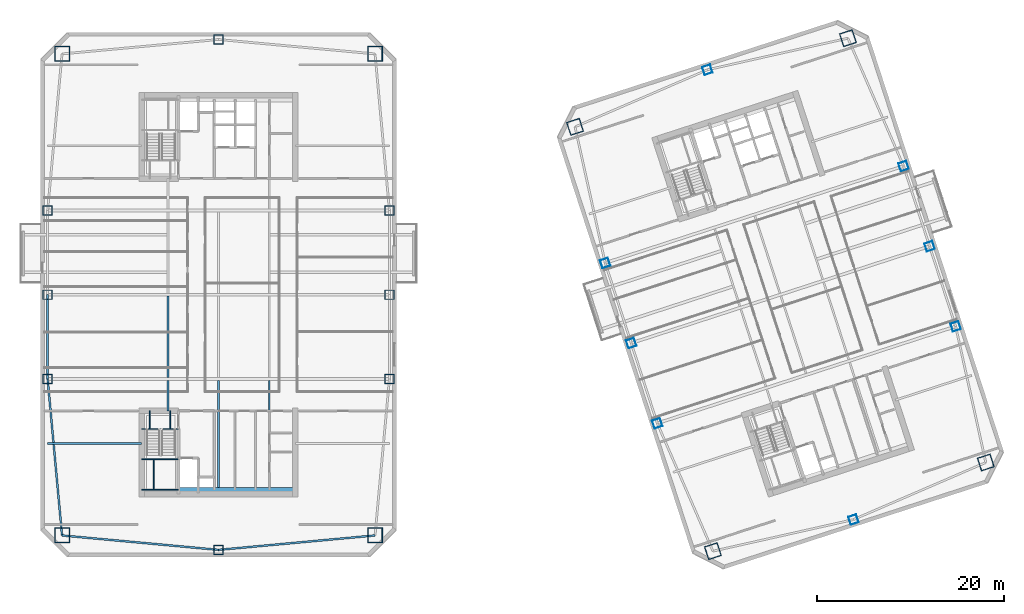
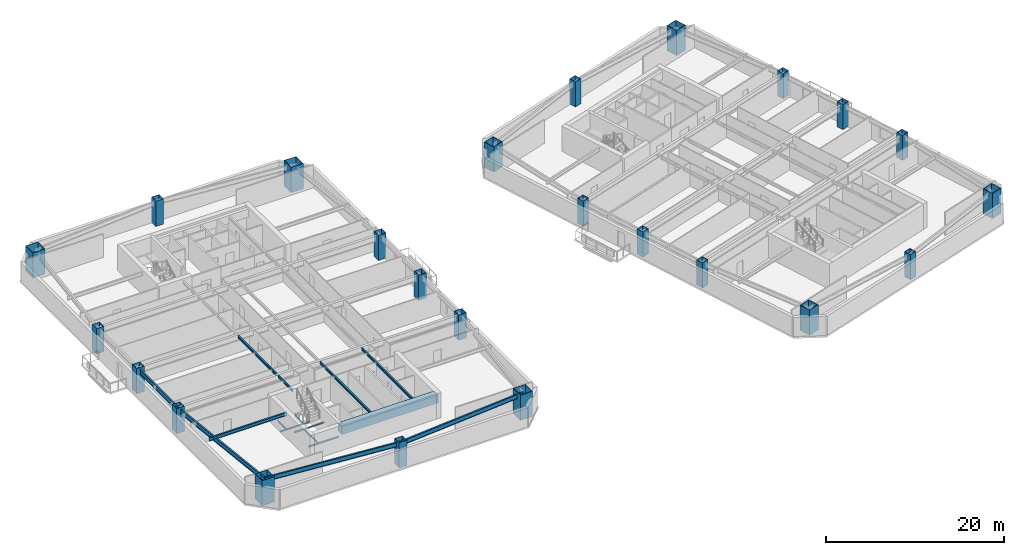
# One storey, part 1 of 15: 24 columns, 16 beams.
"""IFC4 building model written with IfcOpenShell, lengths in metres."""

from ifc_helpers import new_model, si_unit, direction, frame, origin, origin_2d, place, context, subcontext, project, spatial, rectangle, hollow_rectangle, i_section, extrude, material, material_profile, profile_set, type_object, element, save


model = new_model("IFC4")

# Units and contexts
model_context = context("Model", 3, precision=1e-05, world=origin(), true_north=direction((0.0, 1.0)))
body_context = subcontext(model_context, "Body", "Model", "MODEL_VIEW")
ifc_project = project(units=[si_unit("LENGTHUNIT", "METRE"), si_unit("AREAUNIT", "SQUARE_METRE"), si_unit("VOLUMEUNIT", "CUBIC_METRE"), si_unit("PLANEANGLEUNIT", "RADIAN"), si_unit("MASSUNIT", "GRAM", prefix="KILO")], contexts=[model_context])

# Site, building, storey
site_placement = place(None, origin())
site = spatial("IfcSite", under=ifc_project, at=site_placement, CompositionType="ELEMENT")
building_placement = place(site_placement, origin())
building = spatial("IfcBuilding", under=site, at=building_placement, Name="Qiaolan Cultural Towers", CompositionType="ELEMENT")
storey_placement = place(building_placement, frame((0.0, 0.0, 113.85009765625)))
storey = spatial("IfcBuildingStorey", under=building, at=storey_placement, Name="L29", CompositionType="ELEMENT", Elevation=113.85009765625)

# Columns
ifc_material_1 = material(Name="Steel Q355B", Category="steel")
ifc_material_profile_1 = material_profile(ifc_material_1, hollow_rectangle(XDim=1.0, YDim=1.0, WallThickness=0.035888671875, at=origin_2d()), Name="BOX1000x1000x36")
ifc_profile_set_1 = profile_set([ifc_material_profile_1], Name="Steel Q355B")
column_type_1 = type_object("IfcColumnType", Name="COL-BOX1000x1000x36", PredefinedType="COLUMN", material=ifc_profile_set_1)
for number, where, z_axis, x_axis, name in (
    (1, (11.75, 25.0, 0.0), (0.0, 0.0, 1.0), (1.0, 0.0, 0.0), "L29 T1 Perimeter Column PC-W1"),
    (2, (11.75, 34.0, 0.0), (0.0, 0.0, 1.0), (1.0, 0.0, 0.0), "L29 T1 Perimeter Column PC-W2"),
    (3, (11.75, 43.0, 0.0), (0.0, 0.0, 1.0), (1.0, 0.0, 0.0), "L29 T1 Perimeter Column PC-W3"),
    (4, (48.25, 25.0, 0.0), (0.0, 0.0, 1.0), (1.0, 0.0, 0.0), "L29 T1 Perimeter Column PC-E1"),
    (5, (48.25, 34.0, 0.0), (0.0, 0.0, 1.0), (1.0, 0.0, 0.0), "L29 T1 Perimeter Column PC-E2"),
    (6, (48.25, 43.0, 0.0), (0.0, 0.0, 1.0), (1.0, 0.0, 0.0), "L29 T1 Perimeter Column PC-E3"),
    (7, (30.0, 6.75, 0.0), (0.0, 0.0, 1.0), (1.0, 0.0, 0.0), "L29 T1 Perimeter Column PC-S0"),
    (8, (30.0, 61.25, 0.0), (0.0, 0.0, 1.0), (1.0, 0.0, 0.0), "L29 T1 Perimeter Column PC-N0"),
):
    element("IfcColumn", number, at=place(storey_placement, frame(where, z_axis=z_axis, x_axis=x_axis)), inside=storey, type_object=column_type_1, Name=name, PredefinedType="COLUMN", context=body_context, shape_type="SweptSolid", body=[
        extrude(hollow_rectangle(XDim=1.0, YDim=1.0, WallThickness=0.035888671875, at=origin_2d()), origin(), (0.0, 0.0, 1.0), 3.450927734375),
    ])
ifc_material_2 = material(Name="Steel Q420GJB", Category="steel")
ifc_material_profile_2 = material_profile(ifc_material_2, hollow_rectangle(XDim=1.449951171875, YDim=1.449951171875, WallThickness=0.050048828125, at=origin_2d()), Name="BOX1450x1450x50")
ifc_profile_set_2 = profile_set([ifc_material_profile_2], Name="Steel Q420GJB")
column_type_2 = type_object("IfcColumnType", Name="COL-BOX1450x1450x50", PredefinedType="COLUMN", material=ifc_profile_set_2)
for number, where, z_axis, x_axis, name in (
    (9, (82.79052734375, 6.611572265625, 0.0), (0.0, 0.0, 1.0), (0.951056516295, 0.309016994375, 0.0), "L29 T2 Perimeter Column MC-SW"),
    (10, (111.930908203125, 16.080078125, 0.0), (0.0, 0.0, 1.0), (0.951056516295, 0.309016994375, 0.0), "L29 T2 Perimeter Column MC-SE"),
    (11, (97.20947265625, 61.388427734375, 0.0), (0.0, 0.0, 1.0), (0.951056516295, 0.309016994375, 0.0), "L29 T2 Perimeter Column MC-NE"),
    (12, (68.069091796875, 51.919921875, 0.0), (0.0, 0.0, 1.0), (0.951056516295, 0.309016994375, 0.0), "L29 T2 Perimeter Column MC-NW"),
):
    element("IfcColumn", number, at=place(storey_placement, frame(where, z_axis=z_axis, x_axis=x_axis)), inside=storey, type_object=column_type_2, Name=name, PredefinedType="COLUMN", context=body_context, shape_type="SweptSolid", body=[
        extrude(hollow_rectangle(XDim=1.449951171875, YDim=1.449951171875, WallThickness=0.050048828125, at=origin_2d()), origin(), (0.0, 0.0, 1.0), 3.450927734375),
    ])
ifc_material_3 = material(Name="Steel Q420GJB", Category="steel")
ifc_material_profile_3 = material_profile(ifc_material_3, hollow_rectangle(XDim=1.60009765625, YDim=1.60009765625, WallThickness=0.054931640625, at=origin_2d()), Name="BOX1600x1600x55")
ifc_profile_set_3 = profile_set([ifc_material_profile_3], Name="Steel Q420GJB")
column_type_3 = type_object("IfcColumnType", Name="COL-BOX1600x1600x55", PredefinedType="COLUMN", material=ifc_profile_set_3)
for number, where, z_axis, x_axis, name in (
    (13, (13.2900390625, 8.2900390625, 0.0), (0.0, 0.0, 1.0), (1.0, 0.0, 0.0), "L29 T1 Perimeter Column MC-SW"),
    (14, (46.7099609375, 8.2900390625, 0.0), (0.0, 0.0, 1.0), (1.0, 0.0, 0.0), "L29 T1 Perimeter Column MC-SE"),
    (15, (46.7099609375, 59.7099609375, 0.0), (0.0, 0.0, 1.0), (1.0, 0.0, 0.0), "L29 T1 Perimeter Column MC-NE"),
    (16, (13.2900390625, 59.7099609375, 0.0), (0.0, 0.0, 1.0), (1.0, 0.0, 0.0), "L29 T1 Perimeter Column MC-NW"),
):
    element("IfcColumn", number, at=place(storey_placement, frame(where, z_axis=z_axis, x_axis=x_axis)), inside=storey, type_object=column_type_3, Name=name, PredefinedType="COLUMN", context=body_context, shape_type="SweptSolid", body=[
        extrude(hollow_rectangle(XDim=1.60009765625, YDim=1.60009765625, WallThickness=0.054931640625, at=origin_2d()), origin(), (0.0, 0.0, 1.0), 3.450927734375),
    ])
ifc_material_4 = material(Name="Steel Q355B", Category="steel")
ifc_material_profile_4 = material_profile(ifc_material_4, hollow_rectangle(XDim=0.89990234375, YDim=0.89990234375, WallThickness=0.031982421875, at=origin_2d()), Name="BOX900x900x32")
ifc_profile_set_4 = profile_set([ifc_material_profile_4], Name="Steel Q355B")
column_type_4 = type_object("IfcColumnType", Name="COL-BOX900x900x32", PredefinedType="COLUMN", material=ifc_profile_set_4)
for number, where, z_axis, x_axis, name in (
    (17, (76.85107421875, 20.264404296875, 0.0), (0.0, 0.0, 1.0), (0.951056516295, 0.309016994375, 0.0), "L29 T2 Perimeter Column PC-W1"),
    (18, (74.06982421875, 28.823974609375, 0.0), (0.0, 0.0, 1.0), (0.951056516295, 0.309016994375, 0.0), "L29 T2 Perimeter Column PC-W2"),
    (19, (71.28857421875, 37.383544921875, 0.0), (0.0, 0.0, 1.0), (0.951056516295, 0.309016994375, 0.0), "L29 T2 Perimeter Column PC-W3"),
    (20, (108.71142578125, 30.616455078125, 0.0), (0.0, 0.0, 1.0), (0.951056516295, 0.309016994375, 0.0), "L29 T2 Perimeter Column PC-E1"),
    (21, (105.93017578125, 39.176025390625, 0.0), (0.0, 0.0, 1.0), (0.951056516295, 0.309016994375, 0.0), "L29 T2 Perimeter Column PC-E2"),
    (22, (103.14892578125, 47.735595703125, 0.0), (0.0, 0.0, 1.0), (0.951056516295, 0.309016994375, 0.0), "L29 T2 Perimeter Column PC-E3"),
    (23, (97.802734375, 9.98583984375, 0.0), (0.0, 0.0, 1.0), (0.951056516295, 0.309016994375, 0.0), "L29 T2 Perimeter Column PC-S0"),
    (24, (82.197265625, 58.01416015625, 0.0), (0.0, 0.0, 1.0), (0.951056516295, 0.309016994375, 0.0), "L29 T2 Perimeter Column PC-N0"),
):
    element("IfcColumn", number, at=place(storey_placement, frame(where, z_axis=z_axis, x_axis=x_axis)), inside=storey, type_object=column_type_4, Name=name, PredefinedType="COLUMN", context=body_context, shape_type="SweptSolid", body=[
        extrude(hollow_rectangle(XDim=0.89990234375, YDim=0.89990234375, WallThickness=0.031982421875, at=origin_2d()), origin(), (0.0, 0.0, 1.0), 3.450927734375),
    ])

# Beams
ifc_material_5 = material(Name="Steel Q355B", Category="steel")
ifc_material_profile_5 = material_profile(ifc_material_5, i_section(OverallWidth=0.175048828125, OverallDepth=0.35009765625, WebThickness=0.007080078125, FlangeThickness=0.010986328125, at=origin_2d()), Name="HN350x175x7x11")
ifc_profile_set_5 = profile_set([ifc_material_profile_5], Name="Steel Q355B")
beam_type_1 = type_object("IfcBeamType", Name="BM-JST-HN350x175x7x11", PredefinedType="JOIST", material=ifc_profile_set_5)
beam_1_placement = place(storey_placement, frame((24.60009765625, 21.60009765625, 3.014892578125), z_axis=(0.0, 1.0, 0.0), x_axis=(-1.0, 0.0, 0.0)))
element("IfcBeam", 25, at=beam_1_placement, inside=storey, type_object=beam_type_1, Name="L29 T1 Secondary Floor Joist U1-1", PredefinedType="JOIST", context=body_context, shape_type="SweptSolid", body=[
    extrude(i_section(OverallWidth=0.175048828125, OverallDepth=0.35009765625, WebThickness=0.007080078125, FlangeThickness=0.010986328125, at=origin_2d()), origin(), (0.0, 0.0, 1.0), 3.25),
])
beam_2_placement = place(storey_placement, frame((24.60009765625, 25.14990234375, 3.014892578125), z_axis=(0.0, 1.0, 0.0), x_axis=(-1.0, 0.0, 0.0)))
element("IfcBeam", 26, at=beam_2_placement, inside=storey, type_object=beam_type_1, Name="L29 T1 Secondary Floor Joist U1-2", PredefinedType="JOIST", context=body_context, shape_type="SweptSolid", body=[
    extrude(i_section(OverallWidth=0.175048828125, OverallDepth=0.35009765625, WebThickness=0.007080078125, FlangeThickness=0.010986328125, at=origin_2d()), origin(), (0.0, 0.0, 1.0), 8.7001953125),
])
for number, where, z_axis, x_axis, name in (
    (27, (30.0, 13.39990234375, 3.014892578125), (0.0, 1.0, 0.0), (-1.0, 0.0, 0.0), "L29 T1 Secondary Floor Joist U2-1"),
    (28, (35.39990234375, 13.39990234375, 3.014892578125), (0.0, 1.0, 0.0), (-1.0, 0.0, 0.0), "L29 T1 Secondary Floor Joist U3-1"),
):
    element("IfcBeam", number, at=place(storey_placement, frame(where, z_axis=z_axis, x_axis=x_axis)), inside=storey, type_object=beam_type_1, Name=name, PredefinedType="JOIST", context=body_context, shape_type="SweptSolid", body=[
        extrude(i_section(OverallWidth=0.175048828125, OverallDepth=0.35009765625, WebThickness=0.007080078125, FlangeThickness=0.010986328125, at=origin_2d()), origin(), (0.0, 0.0, 1.0), 11.4501953125),
    ])
ifc_material_6 = material(Name="Steel Q355B", Category="steel")
ifc_material_profile_6 = material_profile(ifc_material_6, i_section(OverallWidth=0.199951171875, OverallDepth=0.449951171875, WebThickness=0.009033203125, FlangeThickness=0.013916015625, at=origin_2d()), Name="HN450x200x9x14")
ifc_profile_set_6 = profile_set([ifc_material_profile_6], Name="Steel Q355B")
beam_type_2 = type_object("IfcBeamType", Name="BM-LNT-HN450x200x9x14", PredefinedType="LINTEL", material=ifc_profile_set_6)
beam_3_placement = place(storey_placement, frame((21.800048828125, 18.10009765625, 2.96484375), z_axis=(-1.0, 0.0, 0.0), x_axis=(0.0, -1.0, 0.0)))
element("IfcBeam", 29, at=beam_3_placement, inside=storey, type_object=beam_type_2, Name="L29 T1 Core Flank Tie Lintel WS", PredefinedType="LINTEL", context=body_context, shape_type="SweptSolid", body=[
    extrude(i_section(OverallWidth=0.199951171875, OverallDepth=0.449951171875, WebThickness=0.009033203125, FlangeThickness=0.013916015625, at=origin_2d()), origin(), (0.0, 0.0, 1.0), 10.050048828125),
])
ifc_material_7 = material(Name="Concrete C50", Category="concrete")
ifc_material_profile_7 = material_profile(ifc_material_7, rectangle(XDim=0.89990234375, YDim=1.10009765625, at=origin_2d()), Name="RC900x1100")
ifc_profile_set_7 = profile_set([ifc_material_profile_7], Name="Concrete C50")
beam_type_3 = type_object("IfcBeamType", Name="BM-RC900x1100", PredefinedType="BEAM", material=ifc_profile_set_7)
beam_4_placement = place(storey_placement, frame((25.719970703125, 12.949951171875, 2.639892578125), z_axis=(1.0, 0.0, 0.0), x_axis=(0.0, 1.0, 0.0)))
element("IfcBeam", 30, at=beam_4_placement, inside=storey, type_object=beam_type_3, Name="L29 T1 Core Header Girder S", PredefinedType="BEAM", context=body_context, shape_type="SweptSolid", body=[
    extrude(rectangle(XDim=0.89990234375, YDim=1.10009765625, at=origin_2d()), origin(), (0.0, 0.0, 1.0), 12.47998046875),
])
ifc_material_8 = material(Name="Steel Q355B", Category="steel")
ifc_material_profile_8 = material_profile(ifc_material_8, i_section(OverallWidth=0.199951171875, OverallDepth=0.60009765625, WebThickness=0.010986328125, FlangeThickness=0.01708984375, at=origin_2d()), Name="HN600x200x11x17")
ifc_profile_set_8 = profile_set([ifc_material_profile_8], Name="Steel Q355B")
beam_type_4 = type_object("IfcBeamType", Name="BM-SPD-HN600x200x11x17", PredefinedType="SPANDREL", material=ifc_profile_set_8)
for number, where, z_axis, x_axis, name in (
    (31, (13.2900390625, 8.2900390625, 2.889892578125), (0.995779862064, -0.09177399582, 0.0), (0.09177399582, 0.995779862064, 0.0), "L29 T1 Perimeter Spandrel Beam 1"),
    (32, (30.0, 6.75, 2.889892578125), (0.995779862064, 0.09177399582, 0.0), (-0.09177399582, 0.995779862064, 0.0), "L29 T1 Perimeter Spandrel Beam 2"),
):
    element("IfcBeam", number, at=place(storey_placement, frame(where, z_axis=z_axis, x_axis=x_axis)), inside=storey, type_object=beam_type_4, Name=name, PredefinedType="SPANDREL", context=body_context, shape_type="SweptSolid", body=[
        extrude(i_section(OverallWidth=0.199951171875, OverallDepth=0.60009765625, WebThickness=0.010986328125, FlangeThickness=0.01708984375, at=origin_2d()), origin(), (0.0, 0.0, 1.0), 16.78076171875),
    ])
beam_5_placement = place(storey_placement, frame((11.75, 34.0, 2.889892578125), z_axis=(0.0, -1.0, 0.0), x_axis=(1.0, 0.0, 0.0)))
element("IfcBeam", 33, at=beam_5_placement, inside=storey, type_object=beam_type_4, Name="L29 T1 Perimeter Spandrel Beam 11", PredefinedType="SPANDREL", context=body_context, shape_type="SweptSolid", body=[
    extrude(i_section(OverallWidth=0.199951171875, OverallDepth=0.60009765625, WebThickness=0.010986328125, FlangeThickness=0.01708984375, at=origin_2d()), origin(), (0.0, 0.0, 1.0), 9.0),
])
beam_6_placement = place(storey_placement, frame((11.75, 25.0, 2.889892578125), z_axis=(0.09177399582, -0.995779862064, 0.0), x_axis=(0.995779862064, 0.09177399582, 0.0)))
element("IfcBeam", 34, at=beam_6_placement, inside=storey, type_object=beam_type_4, Name="L29 T1 Perimeter Spandrel Beam 12", PredefinedType="SPANDREL", context=body_context, shape_type="SweptSolid", body=[
    extrude(i_section(OverallWidth=0.199951171875, OverallDepth=0.60009765625, WebThickness=0.010986328125, FlangeThickness=0.01708984375, at=origin_2d()), origin(), (0.0, 0.0, 1.0), 16.78076171875),
])
ifc_material_9 = material(Name="Steel Q355B", Category="steel")
ifc_material_profile_9 = material_profile(ifc_material_9, i_section(OverallWidth=0.10009765625, OverallDepth=0.199951171875, WebThickness=0.005615234375, FlangeThickness=0.008056640625, at=origin_2d()), Name="HN200x100x5.5x8")
ifc_profile_set_9 = profile_set([ifc_material_profile_9], Name="Steel Q355B")
beam_type_5 = type_object("IfcBeamType", Name="BM-STTRIM-200", PredefinedType="BEAM", material=ifc_profile_set_9)
beam_7_placement = place(storey_placement, frame((21.800048828125, 19.659912109375, -0.460205078125), z_axis=(1.0, 0.0, 0.0), x_axis=(0.0, 1.0, 0.0)))
element("IfcBeam", 35, at=beam_7_placement, inside=storey, type_object=beam_type_5, Name="L29 ST-W1 Floor Landing Header Beam", PredefinedType="BEAM", context=body_context, shape_type="SweptSolid", body=[
    extrude(i_section(OverallWidth=0.10009765625, OverallDepth=0.199951171875, WebThickness=0.005615234375, FlangeThickness=0.008056640625, at=origin_2d()), origin(), (0.0, 0.0, 1.0), 3.919921875),
])
for number, where, z_axis, x_axis, name in (
    (36, (22.64990234375, 21.60009765625, -0.460205078125), (0.0, -1.0, 0.0), (1.0, 0.0, 0.0), "L29 ST-W1 Floor Landing Stringer 1"),
    (37, (24.85009765625, 21.60009765625, -0.460205078125), (0.0, -1.0, 0.0), (1.0, 0.0, 0.0), "L29 ST-W1 Floor Landing Stringer 2"),
):
    element("IfcBeam", number, at=place(storey_placement, frame(where, z_axis=z_axis, x_axis=x_axis)), inside=storey, type_object=beam_type_5, Name=name, PredefinedType="BEAM", context=body_context, shape_type="SweptSolid", body=[
        extrude(i_section(OverallWidth=0.10009765625, OverallDepth=0.199951171875, WebThickness=0.005615234375, FlangeThickness=0.008056640625, at=origin_2d()), origin(), (0.0, 0.0, 1.0), 1.940185546875),
    ])
for number, where, z_axis, x_axis, name in (
    (38, (21.800048828125, 16.411376953125, 1.4248046875), (1.0, 0.0, 0.0), (0.0, 1.0, 0.0), "L29 ST-W1 Stair Landing Support Beam 1-1"),
    (39, (21.800048828125, 13.179931640625, 1.4248046875), (1.0, 0.0, 0.0), (0.0, 1.0, 0.0), "L29 ST-W1 Stair Landing Support Beam 1-2"),
):
    element("IfcBeam", number, at=place(storey_placement, frame(where, z_axis=z_axis, x_axis=x_axis)), inside=storey, type_object=beam_type_5, Name=name, PredefinedType="BEAM", context=body_context, shape_type="SweptSolid", body=[
        extrude(i_section(OverallWidth=0.10009765625, OverallDepth=0.199951171875, WebThickness=0.005615234375, FlangeThickness=0.008056640625, at=origin_2d()), origin(), (0.0, 0.0, 1.0), 3.919921875),
    ])
beam_8_placement = place(storey_placement, frame((23.070068359375, 16.411376953125, 1.4248046875), z_axis=(0.0, -1.0, 0.0), x_axis=(1.0, 0.0, 0.0)))
element("IfcBeam", 40, at=beam_8_placement, inside=storey, type_object=beam_type_5, Name="L29 ST-W1 Stair Landing Trimmer 1", PredefinedType="BEAM", context=body_context, shape_type="SweptSolid", body=[
    extrude(i_section(OverallWidth=0.10009765625, OverallDepth=0.199951171875, WebThickness=0.005615234375, FlangeThickness=0.008056640625, at=origin_2d()), origin(), (0.0, 0.0, 1.0), 3.2314453125),
])

save(model, "model.ifc")
